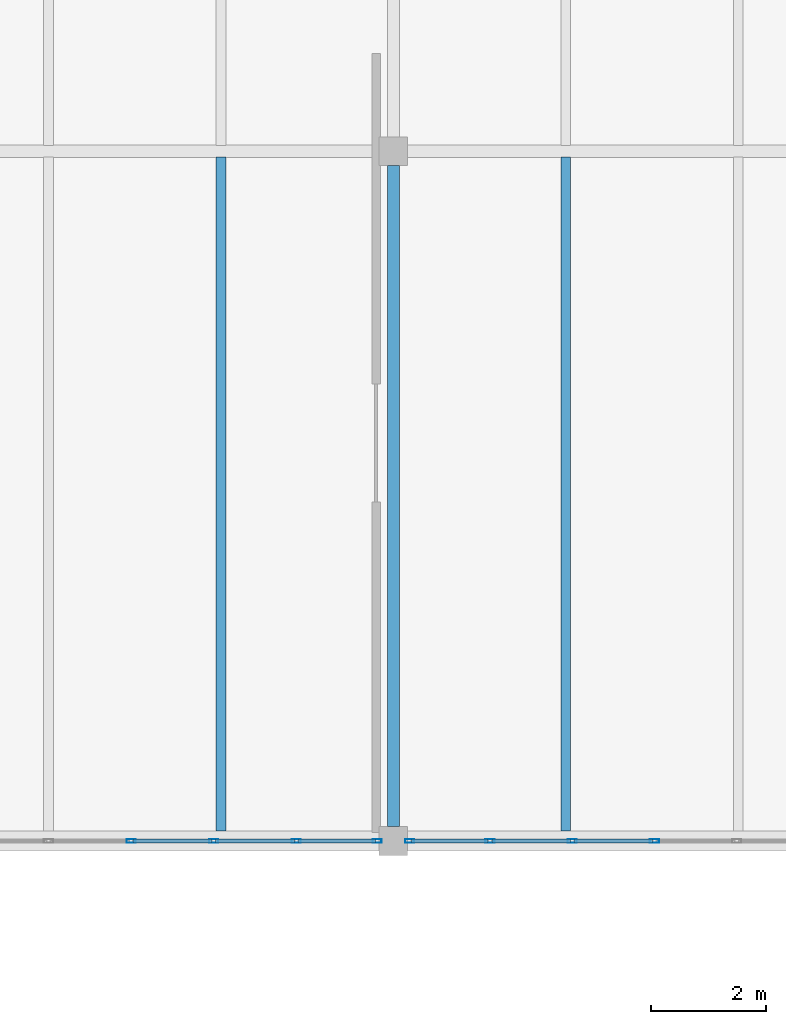
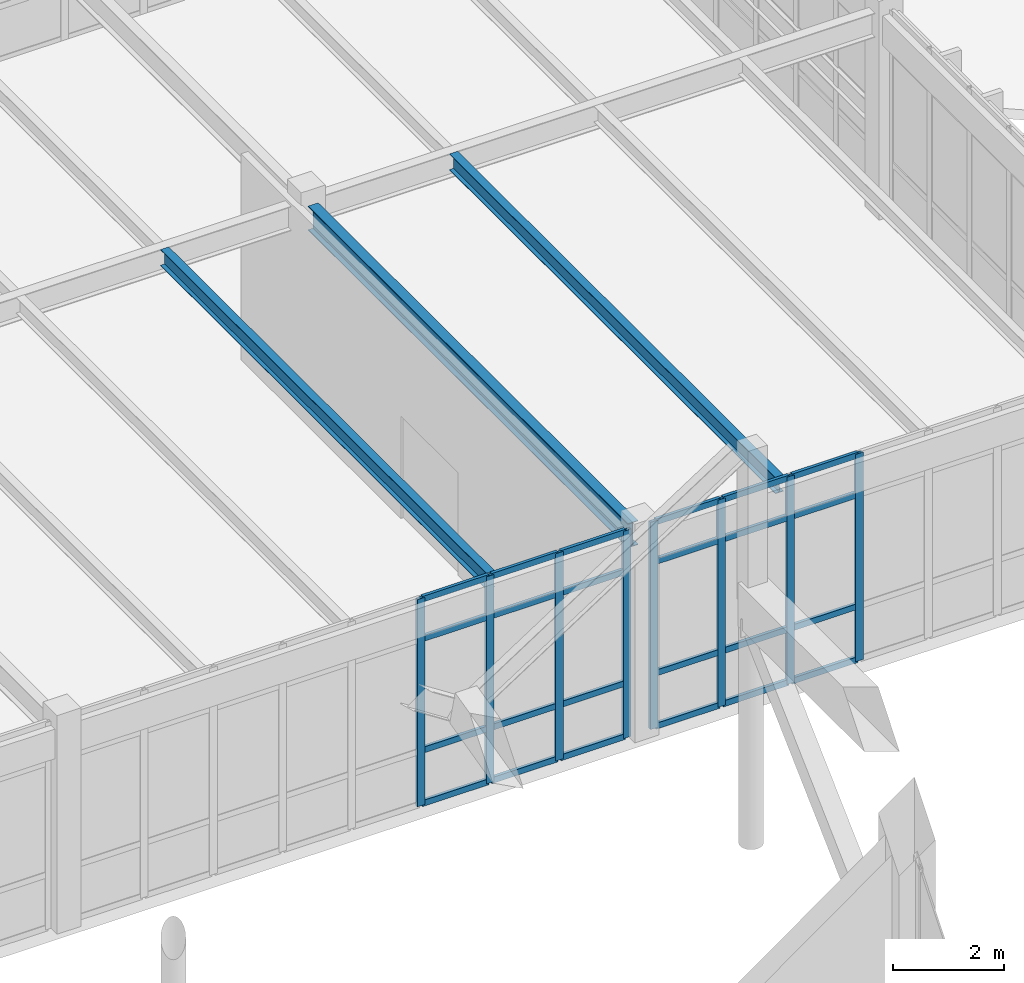
# One storey, part 171 of 236: 32 members, 3 beams, 2 elements without a shape of their own.
"""IFC4 building model written with IfcOpenShell, lengths in metres."""

from ifc_helpers import new_model, si_unit, direction, frame, origin, origin_2d, place, context, subcontext, project, spatial, hollow_rectangle, i_section, extrude, material, layer, layer_set, material_profile, profile_set, type_object, element, aggregate, save


model = new_model("IFC4")

# Units and contexts
model_context = context("Model", 3, precision=1e-05, world=origin(), true_north=direction((0.0, 1.0)))
body_context = subcontext(model_context, "Body", "Model", "MODEL_VIEW")
ifc_project = project(units=[si_unit("LENGTHUNIT", "METRE"), si_unit("AREAUNIT", "SQUARE_METRE"), si_unit("VOLUMEUNIT", "CUBIC_METRE"), si_unit("PLANEANGLEUNIT", "RADIAN"), si_unit("MASSUNIT", "GRAM", prefix="KILO")], contexts=[model_context])

# Site, building, storey
site_placement = place(None, origin())
site = spatial("IfcSite", under=ifc_project, at=site_placement, CompositionType="ELEMENT")
building_placement = place(site_placement, origin())
building = spatial("IfcBuilding", under=site, at=building_placement, Name="Pandanus Reach Market Hall", CompositionType="ELEMENT")
storey_placement = place(building_placement, frame((0.0, 0.0, 5.39990234375)))
storey = spatial("IfcBuildingStorey", under=building, at=storey_placement, Name="L01", CompositionType="ELEMENT", Elevation=5.39990234375)

# Beam
ifc_material_1 = material(Name="Steel Grade 350 (350 MPa)", Category="steel")
ifc_material_profile_1 = material_profile(ifc_material_1, i_section(OverallWidth=0.208984375, OverallDepth=0.532958984375, WebThickness=0.01025390625, FlangeThickness=0.015625, at=origin_2d()), Name="530UB92.4", Category="LoadBearing")
ifc_profile_set_1 = profile_set([ifc_material_profile_1], Name="Steel Grade 350 (350 MPa)")
beam_type_1 = type_object("IfcBeamType", Name="BM-UB530-I", PredefinedType="BEAM", material=ifc_profile_set_1)
beam_placement = place(storey_placement, frame((132.0, 96.248046875, 4.193115234375), z_axis=(0.0, 1.0, 0.0), x_axis=(-1.0, 0.0, 0.0)))
element("IfcBeam", 1, at=beam_placement, inside=storey, type_object=beam_type_1, Name="Framing beam BM-UB530-I L01.881", PredefinedType="BEAM", context=body_context, shape_type="SweptSolid", body=[
    extrude(i_section(OverallWidth=0.208984375, OverallDepth=0.532958984375, WebThickness=0.01025390625, FlangeThickness=0.015625, at=origin_2d()), origin(), (0.0, 0.0, 1.0), 11.50390625),
])

# Curtain wall, members
ifc_material_2 = material(Name="Bronze anodised aluminium and low-E glass", Category="aluminium")
ifc_layer_1 = layer(ifc_material_2, 0.159912109375, Name="CW-38")
ifc_layer_set_1 = layer_set([ifc_layer_1], Name="Bronze anodised aluminium and low-E glass")
curtain_wall_type_1 = type_object("IfcCurtainWallType", Name="CW-38", PredefinedType="NOTDEFINED", material=ifc_layer_set_1)
curtain_wall_1_placement = place(storey_placement, origin())
curtain_wall_1 = element("IfcCurtainWall", 2, at=curtain_wall_1_placement, inside=storey, type_object=curtain_wall_type_1, Name="Glazed curtain wall CW-38 CW-0143", PredefinedType="NOTDEFINED")
ifc_material_3 = material(Name="Bronze anodised aluminium", Category="aluminium")
ifc_material_profile_2 = material_profile(ifc_material_3, hollow_rectangle(XDim=0.06494140625, YDim=0.159912109375, WallThickness=0.00390625, at=origin_2d()), Name="ALU65x160", Category="LoadBearing")
ifc_profile_set_2 = profile_set([ifc_material_profile_2], Name="Bronze anodised aluminium")
member_type_1 = type_object("IfcMemberType", Name="CW-M1", PredefinedType="MULLION", material=ifc_profile_set_2)
member_1_placement = place(storey_placement, frame((127.4375, 96.0, 0.0), z_axis=(0.0, 0.0, 1.0), x_axis=(0.0, 1.0, 0.0)))
member_1 = element("IfcMember", 3, at=member_1_placement, type_object=member_type_1, Name="CW-38 mullion 6", PredefinedType="MULLION", context=body_context, shape_type="SweptSolid", body=[
    extrude(hollow_rectangle(XDim=0.06494140625, YDim=0.159912109375, WallThickness=0.00390625, at=origin_2d()), origin(), (0.0, 0.0, 1.0), 4.550048828125),
])
member_2_placement = place(storey_placement, frame((128.875, 96.0, 0.0), z_axis=(0.0, 0.0, 1.0), x_axis=(0.0, 1.0, 0.0)))
member_2 = element("IfcMember", 4, at=member_2_placement, type_object=member_type_1, Name="CW-38 mullion 7", PredefinedType="MULLION", context=body_context, shape_type="SweptSolid", body=[
    extrude(hollow_rectangle(XDim=0.06494140625, YDim=0.159912109375, WallThickness=0.00390625, at=origin_2d()), origin(), (0.0, 0.0, 1.0), 4.550048828125),
])
member_3_placement = place(storey_placement, frame((130.3125, 96.0, 0.0), z_axis=(0.0, 0.0, 1.0), x_axis=(0.0, 1.0, 0.0)))
member_3 = element("IfcMember", 5, at=member_3_placement, type_object=member_type_1, Name="CW-38 mullion 8", PredefinedType="MULLION", context=body_context, shape_type="SweptSolid", body=[
    extrude(hollow_rectangle(XDim=0.06494140625, YDim=0.159912109375, WallThickness=0.00390625, at=origin_2d()), origin(), (0.0, 0.0, 1.0), 4.550048828125),
])
member_4_placement = place(storey_placement, frame((131.717529296875, 96.0, 0.0), z_axis=(0.0, 0.0, 1.0), x_axis=(0.0, 1.0, 0.0)))
member_4 = element("IfcMember", 6, at=member_4_placement, type_object=member_type_1, Name="CW-38 mullion 9", PredefinedType="MULLION", context=body_context, shape_type="SweptSolid", body=[
    extrude(hollow_rectangle(XDim=0.06494140625, YDim=0.159912109375, WallThickness=0.00390625, at=origin_2d()), origin(), (0.0, 0.0, 1.0), 4.550048828125),
])

ifc_layer_2 = layer(ifc_material_2, 0.159912109375, Name="CW-40")
ifc_layer_set_2 = layer_set([ifc_layer_2], Name="Bronze anodised aluminium and low-E glass")
curtain_wall_type_2 = type_object("IfcCurtainWallType", Name="CW-40", PredefinedType="NOTDEFINED", material=ifc_layer_set_2)
curtain_wall_2_placement = place(storey_placement, origin())
curtain_wall_2 = element("IfcCurtainWall", 7, at=curtain_wall_2_placement, inside=storey, type_object=curtain_wall_type_2, Name="Glazed curtain wall CW-40 CW-0145", PredefinedType="NOTDEFINED")
member_5_placement = place(storey_placement, frame((132.282470703125, 96.0, 0.0), z_axis=(0.0, 0.0, 1.0), x_axis=(0.0, 1.0, 0.0)))
member_5 = element("IfcMember", 8, at=member_5_placement, type_object=member_type_1, Name="CW-40 mullion 1", PredefinedType="MULLION", context=body_context, shape_type="SweptSolid", body=[
    extrude(hollow_rectangle(XDim=0.06494140625, YDim=0.159912109375, WallThickness=0.00390625, at=origin_2d()), origin(), (0.0, 0.0, 1.0), 4.550048828125),
])
member_6_placement = place(storey_placement, frame((133.68115234375, 96.0, 0.0), z_axis=(0.0, 0.0, 1.0), x_axis=(0.0, 1.0, 0.0)))
member_6 = element("IfcMember", 9, at=member_6_placement, type_object=member_type_1, Name="CW-40 mullion 2", PredefinedType="MULLION", context=body_context, shape_type="SweptSolid", body=[
    extrude(hollow_rectangle(XDim=0.06494140625, YDim=0.159912109375, WallThickness=0.00390625, at=origin_2d()), origin(), (0.0, 0.0, 1.0), 4.550048828125),
])
member_7_placement = place(storey_placement, frame((135.112548828125, 96.0, 0.0), z_axis=(0.0, 0.0, 1.0), x_axis=(0.0, 1.0, 0.0)))
member_7 = element("IfcMember", 10, at=member_7_placement, type_object=member_type_1, Name="CW-40 mullion 3", PredefinedType="MULLION", context=body_context, shape_type="SweptSolid", body=[
    extrude(hollow_rectangle(XDim=0.06494140625, YDim=0.159912109375, WallThickness=0.00390625, at=origin_2d()), origin(), (0.0, 0.0, 1.0), 4.550048828125),
])
member_8_placement = place(storey_placement, frame((136.543701171875, 96.0, 0.0), z_axis=(0.0, 0.0, 1.0), x_axis=(0.0, 1.0, 0.0)))
member_8 = element("IfcMember", 11, at=member_8_placement, type_object=member_type_1, Name="CW-40 mullion 4", PredefinedType="MULLION", context=body_context, shape_type="SweptSolid", body=[
    extrude(hollow_rectangle(XDim=0.06494140625, YDim=0.159912109375, WallThickness=0.00390625, at=origin_2d()), origin(), (0.0, 0.0, 1.0), 4.550048828125),
])

# Member
ifc_material_profile_3 = material_profile(ifc_material_3, hollow_rectangle(XDim=0.06494140625, YDim=0.1298828125, WallThickness=0.00390625, at=origin_2d()), Name="ALU65x130", Category="LoadBearing")
ifc_profile_set_3 = profile_set([ifc_material_profile_3], Name="Bronze anodised aluminium")
member_type_2 = type_object("IfcMemberType", Name="CW-T1", PredefinedType="USERDEFINED", material=ifc_profile_set_3)
member_9_placement = place(storey_placement, frame((127.469970703125, 96.0, 0.03271484375), z_axis=(1.0, 0.0, 0.0), x_axis=(0.0, 1.0, 0.0)))
member_9 = element("IfcMember", 12, at=member_9_placement, type_object=member_type_2, Name="CW-38 transom 6.1", ObjectType="TRANSOM", PredefinedType="USERDEFINED", context=body_context, shape_type="SweptSolid", body=[
    extrude(hollow_rectangle(XDim=0.06494140625, YDim=0.1298828125, WallThickness=0.00390625, at=origin_2d()), origin(), (0.0, 0.0, 1.0), 1.37255859375),
])

member_10_placement = place(storey_placement, frame((127.469970703125, 96.0, 1.2001953125), z_axis=(1.0, 0.0, 0.0), x_axis=(0.0, 1.0, 0.0)))
member_10 = element("IfcMember", 13, at=member_10_placement, type_object=member_type_2, Name="CW-38 transom 6.2", ObjectType="TRANSOM", PredefinedType="USERDEFINED", context=body_context, shape_type="SweptSolid", body=[
    extrude(hollow_rectangle(XDim=0.06494140625, YDim=0.1298828125, WallThickness=0.00390625, at=origin_2d()), origin(), (0.0, 0.0, 1.0), 1.37255859375),
])

member_11_placement = place(storey_placement, frame((127.469970703125, 96.0, 3.650146484375), z_axis=(1.0, 0.0, 0.0), x_axis=(0.0, 1.0, 0.0)))
member_11 = element("IfcMember", 14, at=member_11_placement, type_object=member_type_2, Name="CW-38 transom 6.3", ObjectType="TRANSOM", PredefinedType="USERDEFINED", context=body_context, shape_type="SweptSolid", body=[
    extrude(hollow_rectangle(XDim=0.06494140625, YDim=0.1298828125, WallThickness=0.00390625, at=origin_2d()), origin(), (0.0, 0.0, 1.0), 1.37255859375),
])

member_12_placement = place(storey_placement, frame((127.469970703125, 96.0, 4.517578125), z_axis=(1.0, 0.0, 0.0), x_axis=(0.0, 1.0, 0.0)))
member_12 = element("IfcMember", 15, at=member_12_placement, type_object=member_type_2, Name="CW-38 transom 6.4", ObjectType="TRANSOM", PredefinedType="USERDEFINED", context=body_context, shape_type="SweptSolid", body=[
    extrude(hollow_rectangle(XDim=0.06494140625, YDim=0.1298828125, WallThickness=0.00390625, at=origin_2d()), origin(), (0.0, 0.0, 1.0), 1.37255859375),
])

member_13_placement = place(storey_placement, frame((128.907470703125, 96.0, 0.03271484375), z_axis=(1.0, 0.0, 0.0), x_axis=(0.0, 1.0, 0.0)))
member_13 = element("IfcMember", 16, at=member_13_placement, type_object=member_type_2, Name="CW-38 transom 7.1", ObjectType="TRANSOM", PredefinedType="USERDEFINED", context=body_context, shape_type="SweptSolid", body=[
    extrude(hollow_rectangle(XDim=0.06494140625, YDim=0.1298828125, WallThickness=0.00390625, at=origin_2d()), origin(), (0.0, 0.0, 1.0), 1.37255859375),
])

member_14_placement = place(storey_placement, frame((128.907470703125, 96.0, 1.2001953125), z_axis=(1.0, 0.0, 0.0), x_axis=(0.0, 1.0, 0.0)))
member_14 = element("IfcMember", 17, at=member_14_placement, type_object=member_type_2, Name="CW-38 transom 7.2", ObjectType="TRANSOM", PredefinedType="USERDEFINED", context=body_context, shape_type="SweptSolid", body=[
    extrude(hollow_rectangle(XDim=0.06494140625, YDim=0.1298828125, WallThickness=0.00390625, at=origin_2d()), origin(), (0.0, 0.0, 1.0), 1.37255859375),
])

member_15_placement = place(storey_placement, frame((128.907470703125, 96.0, 3.650146484375), z_axis=(1.0, 0.0, 0.0), x_axis=(0.0, 1.0, 0.0)))
member_15 = element("IfcMember", 18, at=member_15_placement, type_object=member_type_2, Name="CW-38 transom 7.3", ObjectType="TRANSOM", PredefinedType="USERDEFINED", context=body_context, shape_type="SweptSolid", body=[
    extrude(hollow_rectangle(XDim=0.06494140625, YDim=0.1298828125, WallThickness=0.00390625, at=origin_2d()), origin(), (0.0, 0.0, 1.0), 1.37255859375),
])

member_16_placement = place(storey_placement, frame((128.907470703125, 96.0, 4.517578125), z_axis=(1.0, 0.0, 0.0), x_axis=(0.0, 1.0, 0.0)))
member_16 = element("IfcMember", 19, at=member_16_placement, type_object=member_type_2, Name="CW-38 transom 7.4", ObjectType="TRANSOM", PredefinedType="USERDEFINED", context=body_context, shape_type="SweptSolid", body=[
    extrude(hollow_rectangle(XDim=0.06494140625, YDim=0.1298828125, WallThickness=0.00390625, at=origin_2d()), origin(), (0.0, 0.0, 1.0), 1.37255859375),
])

member_17_placement = place(storey_placement, frame((130.344970703125, 96.0, 0.03271484375), z_axis=(1.0, 0.0, 0.0), x_axis=(0.0, 1.0, 0.0)))
member_17 = element("IfcMember", 20, at=member_17_placement, type_object=member_type_2, Name="CW-38 transom 8.1", ObjectType="TRANSOM", PredefinedType="USERDEFINED", context=body_context, shape_type="SweptSolid", body=[
    extrude(hollow_rectangle(XDim=0.06494140625, YDim=0.1298828125, WallThickness=0.00390625, at=origin_2d()), origin(), (0.0, 0.0, 1.0), 1.340087890625),
])

member_18_placement = place(storey_placement, frame((130.344970703125, 96.0, 1.2001953125), z_axis=(1.0, 0.0, 0.0), x_axis=(0.0, 1.0, 0.0)))
member_18 = element("IfcMember", 21, at=member_18_placement, type_object=member_type_2, Name="CW-38 transom 8.2", ObjectType="TRANSOM", PredefinedType="USERDEFINED", context=body_context, shape_type="SweptSolid", body=[
    extrude(hollow_rectangle(XDim=0.06494140625, YDim=0.1298828125, WallThickness=0.00390625, at=origin_2d()), origin(), (0.0, 0.0, 1.0), 1.340087890625),
])

member_19_placement = place(storey_placement, frame((130.344970703125, 96.0, 3.650146484375), z_axis=(1.0, 0.0, 0.0), x_axis=(0.0, 1.0, 0.0)))
member_19 = element("IfcMember", 22, at=member_19_placement, type_object=member_type_2, Name="CW-38 transom 8.3", ObjectType="TRANSOM", PredefinedType="USERDEFINED", context=body_context, shape_type="SweptSolid", body=[
    extrude(hollow_rectangle(XDim=0.06494140625, YDim=0.1298828125, WallThickness=0.00390625, at=origin_2d()), origin(), (0.0, 0.0, 1.0), 1.340087890625),
])

member_20_placement = place(storey_placement, frame((130.344970703125, 96.0, 4.517578125), z_axis=(1.0, 0.0, 0.0), x_axis=(0.0, 1.0, 0.0)))
member_20 = element("IfcMember", 23, at=member_20_placement, type_object=member_type_2, Name="CW-38 transom 8.4", ObjectType="TRANSOM", PredefinedType="USERDEFINED", context=body_context, shape_type="SweptSolid", body=[
    extrude(hollow_rectangle(XDim=0.06494140625, YDim=0.1298828125, WallThickness=0.00390625, at=origin_2d()), origin(), (0.0, 0.0, 1.0), 1.340087890625),
])

aggregate(curtain_wall_1, [member_1, member_2, member_3, member_4, member_9, member_10, member_11, member_12, member_13, member_14, member_15, member_16, member_17, member_18, member_19, member_20])

member_21_placement = place(storey_placement, frame((132.31494140625, 96.0, 0.03271484375), z_axis=(1.0, 0.0, 0.0), x_axis=(0.0, 1.0, 0.0)))
member_21 = element("IfcMember", 24, at=member_21_placement, type_object=member_type_2, Name="CW-40 transom 1.1", ObjectType="TRANSOM", PredefinedType="USERDEFINED", context=body_context, shape_type="SweptSolid", body=[
    extrude(hollow_rectangle(XDim=0.06494140625, YDim=0.1298828125, WallThickness=0.00390625, at=origin_2d()), origin(), (0.0, 0.0, 1.0), 1.333740234375),
])

member_22_placement = place(storey_placement, frame((132.31494140625, 96.0, 1.2001953125), z_axis=(1.0, 0.0, 0.0), x_axis=(0.0, 1.0, 0.0)))
member_22 = element("IfcMember", 25, at=member_22_placement, type_object=member_type_2, Name="CW-40 transom 1.2", ObjectType="TRANSOM", PredefinedType="USERDEFINED", context=body_context, shape_type="SweptSolid", body=[
    extrude(hollow_rectangle(XDim=0.06494140625, YDim=0.1298828125, WallThickness=0.00390625, at=origin_2d()), origin(), (0.0, 0.0, 1.0), 1.333740234375),
])

member_23_placement = place(storey_placement, frame((132.31494140625, 96.0, 3.650146484375), z_axis=(1.0, 0.0, 0.0), x_axis=(0.0, 1.0, 0.0)))
member_23 = element("IfcMember", 26, at=member_23_placement, type_object=member_type_2, Name="CW-40 transom 1.3", ObjectType="TRANSOM", PredefinedType="USERDEFINED", context=body_context, shape_type="SweptSolid", body=[
    extrude(hollow_rectangle(XDim=0.06494140625, YDim=0.1298828125, WallThickness=0.00390625, at=origin_2d()), origin(), (0.0, 0.0, 1.0), 1.333740234375),
])

member_24_placement = place(storey_placement, frame((132.31494140625, 96.0, 4.517578125), z_axis=(1.0, 0.0, 0.0), x_axis=(0.0, 1.0, 0.0)))
member_24 = element("IfcMember", 27, at=member_24_placement, type_object=member_type_2, Name="CW-40 transom 1.4", ObjectType="TRANSOM", PredefinedType="USERDEFINED", context=body_context, shape_type="SweptSolid", body=[
    extrude(hollow_rectangle(XDim=0.06494140625, YDim=0.1298828125, WallThickness=0.00390625, at=origin_2d()), origin(), (0.0, 0.0, 1.0), 1.333740234375),
])

member_25_placement = place(storey_placement, frame((133.7138671875, 96.0, 0.03271484375), z_axis=(1.0, 0.0, 0.0), x_axis=(0.0, 1.0, 0.0)))
member_25 = element("IfcMember", 28, at=member_25_placement, type_object=member_type_2, Name="CW-40 transom 2.1", ObjectType="TRANSOM", PredefinedType="USERDEFINED", context=body_context, shape_type="SweptSolid", body=[
    extrude(hollow_rectangle(XDim=0.06494140625, YDim=0.1298828125, WallThickness=0.00390625, at=origin_2d()), origin(), (0.0, 0.0, 1.0), 1.3662109375),
])

member_26_placement = place(storey_placement, frame((133.7138671875, 96.0, 1.2001953125), z_axis=(1.0, 0.0, 0.0), x_axis=(0.0, 1.0, 0.0)))
member_26 = element("IfcMember", 29, at=member_26_placement, type_object=member_type_2, Name="CW-40 transom 2.2", ObjectType="TRANSOM", PredefinedType="USERDEFINED", context=body_context, shape_type="SweptSolid", body=[
    extrude(hollow_rectangle(XDim=0.06494140625, YDim=0.1298828125, WallThickness=0.00390625, at=origin_2d()), origin(), (0.0, 0.0, 1.0), 1.3662109375),
])

member_27_placement = place(storey_placement, frame((133.7138671875, 96.0, 3.650146484375), z_axis=(1.0, 0.0, 0.0), x_axis=(0.0, 1.0, 0.0)))
member_27 = element("IfcMember", 30, at=member_27_placement, type_object=member_type_2, Name="CW-40 transom 2.3", ObjectType="TRANSOM", PredefinedType="USERDEFINED", context=body_context, shape_type="SweptSolid", body=[
    extrude(hollow_rectangle(XDim=0.06494140625, YDim=0.1298828125, WallThickness=0.00390625, at=origin_2d()), origin(), (0.0, 0.0, 1.0), 1.3662109375),
])

member_28_placement = place(storey_placement, frame((133.7138671875, 96.0, 4.517578125), z_axis=(1.0, 0.0, 0.0), x_axis=(0.0, 1.0, 0.0)))
member_28 = element("IfcMember", 31, at=member_28_placement, type_object=member_type_2, Name="CW-40 transom 2.4", ObjectType="TRANSOM", PredefinedType="USERDEFINED", context=body_context, shape_type="SweptSolid", body=[
    extrude(hollow_rectangle(XDim=0.06494140625, YDim=0.1298828125, WallThickness=0.00390625, at=origin_2d()), origin(), (0.0, 0.0, 1.0), 1.3662109375),
])

member_29_placement = place(storey_placement, frame((135.14501953125, 96.0, 0.03271484375), z_axis=(1.0, 0.0, 0.0), x_axis=(0.0, 1.0, 0.0)))
member_29 = element("IfcMember", 32, at=member_29_placement, type_object=member_type_2, Name="CW-40 transom 3.1", ObjectType="TRANSOM", PredefinedType="USERDEFINED", context=body_context, shape_type="SweptSolid", body=[
    extrude(hollow_rectangle(XDim=0.06494140625, YDim=0.1298828125, WallThickness=0.00390625, at=origin_2d()), origin(), (0.0, 0.0, 1.0), 1.3662109375),
])

member_30_placement = place(storey_placement, frame((135.14501953125, 96.0, 1.2001953125), z_axis=(1.0, 0.0, 0.0), x_axis=(0.0, 1.0, 0.0)))
member_30 = element("IfcMember", 33, at=member_30_placement, type_object=member_type_2, Name="CW-40 transom 3.2", ObjectType="TRANSOM", PredefinedType="USERDEFINED", context=body_context, shape_type="SweptSolid", body=[
    extrude(hollow_rectangle(XDim=0.06494140625, YDim=0.1298828125, WallThickness=0.00390625, at=origin_2d()), origin(), (0.0, 0.0, 1.0), 1.3662109375),
])

member_31_placement = place(storey_placement, frame((135.14501953125, 96.0, 3.650146484375), z_axis=(1.0, 0.0, 0.0), x_axis=(0.0, 1.0, 0.0)))
member_31 = element("IfcMember", 34, at=member_31_placement, type_object=member_type_2, Name="CW-40 transom 3.3", ObjectType="TRANSOM", PredefinedType="USERDEFINED", context=body_context, shape_type="SweptSolid", body=[
    extrude(hollow_rectangle(XDim=0.06494140625, YDim=0.1298828125, WallThickness=0.00390625, at=origin_2d()), origin(), (0.0, 0.0, 1.0), 1.3662109375),
])

member_32_placement = place(storey_placement, frame((135.14501953125, 96.0, 4.517578125), z_axis=(1.0, 0.0, 0.0), x_axis=(0.0, 1.0, 0.0)))
member_32 = element("IfcMember", 35, at=member_32_placement, type_object=member_type_2, Name="CW-40 transom 3.4", ObjectType="TRANSOM", PredefinedType="USERDEFINED", context=body_context, shape_type="SweptSolid", body=[
    extrude(hollow_rectangle(XDim=0.06494140625, YDim=0.1298828125, WallThickness=0.00390625, at=origin_2d()), origin(), (0.0, 0.0, 1.0), 1.3662109375),
])

aggregate(curtain_wall_2, [member_5, member_6, member_7, member_8, member_21, member_22, member_23, member_24, member_25, member_26, member_27, member_28, member_29, member_30, member_31, member_32])

# Beams
ifc_material_profile_4 = material_profile(ifc_material_1, i_section(OverallWidth=0.1708984375, OverallDepth=0.35595703125, WebThickness=0.00732421875, FlangeThickness=0.011474609375, at=origin_2d()), Name="360UB50.7", Category="LoadBearing")
ifc_profile_set_4 = profile_set([ifc_material_profile_4], Name="Steel Grade 350 (350 MPa)")
beam_type_2 = type_object("IfcBeamType", Name="JS-UB360-I", PredefinedType="JOIST", material=ifc_profile_set_4)
for number, where, z_axis, x_axis, name in (
    (36, (129.0, 96.173095703125, 4.28173828125), (0.0, 1.0, 0.0), (-1.0, 0.0, 0.0), "Secondary joist JS-UB360-I L01.911"),
    (37, (135.0, 96.173095703125, 4.28173828125), (0.0, 1.0, 0.0), (-1.0, 0.0, 0.0), "Secondary joist JS-UB360-I L01.915"),
):
    element("IfcBeam", number, at=place(storey_placement, frame(where, z_axis=z_axis, x_axis=x_axis)), inside=storey, type_object=beam_type_2, Name=name, PredefinedType="JOIST", context=body_context, shape_type="SweptSolid", body=[
        extrude(i_section(OverallWidth=0.1708984375, OverallDepth=0.35595703125, WebThickness=0.00732421875, FlangeThickness=0.011474609375, at=origin_2d()), origin(), (0.0, 0.0, 1.0), 11.724365234375),
    ])

save(model, "model.ifc")
